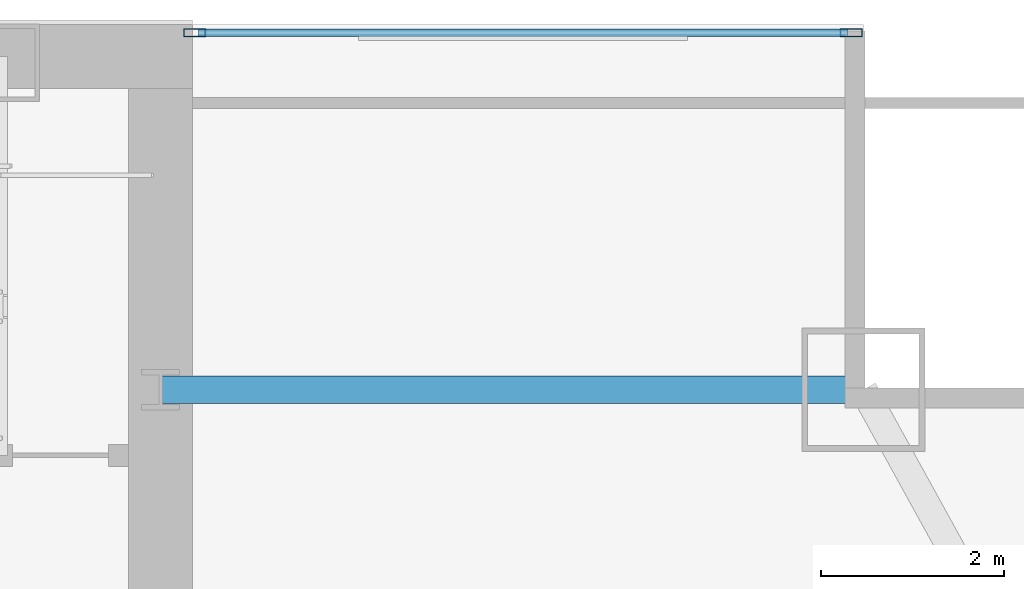
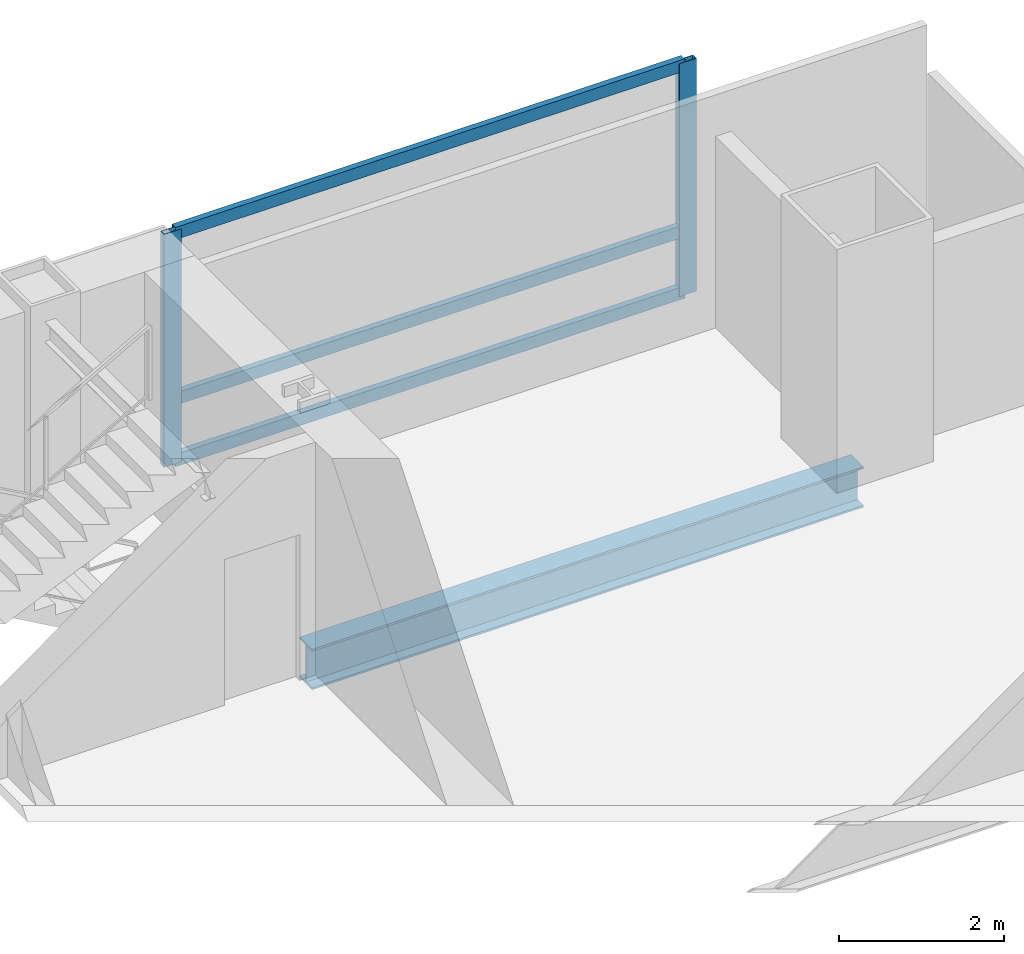
# One storey, part 20 of 29: 5 members, 1 beam, 1 element without a shape of its own.
"""IFC4 building model written with IfcOpenShell, lengths in metres."""

from ifc_helpers import new_model, si_unit, direction, frame, origin, origin_2d, place, context, subcontext, project, spatial, hollow_rectangle, i_section, extrude, material, material_profile, profile_set, type_object, element, aggregate, save


model = new_model("IFC4")

# Units and contexts
model_context = context("Model", 3, precision=1e-05, world=origin(), true_north=direction((0.0, 1.0)))
body_context = subcontext(model_context, "Body", "Model", "MODEL_VIEW")
ifc_project = project(units=[si_unit("LENGTHUNIT", "METRE"), si_unit("AREAUNIT", "SQUARE_METRE"), si_unit("VOLUMEUNIT", "CUBIC_METRE"), si_unit("PLANEANGLEUNIT", "RADIAN"), si_unit("MASSUNIT", "GRAM", prefix="KILO")], contexts=[model_context])

# Site, building, storey
site_placement = place(None, origin())
site = spatial("IfcSite", under=ifc_project, at=site_placement, CompositionType="ELEMENT")
building_placement = place(site_placement, origin())
building = spatial("IfcBuilding", under=site, at=building_placement, Name="Khoronbel Lancet Exchange", CompositionType="ELEMENT")
storey_placement = place(building_placement, frame((0.0, 0.0, 150.60009765625)))
storey = spatial("IfcBuildingStorey", under=building, at=storey_placement, Name="L37", CompositionType="ELEMENT", Elevation=150.60009765625)

# Beam
ifc_material_1 = material(Name="Steel S355", Category="steel")
ifc_material_profile_1 = material_profile(ifc_material_1, i_section(OverallWidth=0.300048828125, OverallDepth=0.60009765625, WebThickness=0.015380859375, FlangeThickness=0.030029296875, at=origin_2d()), Name="HEB 600")
ifc_profile_set_1 = profile_set([ifc_material_profile_1], Name="Steel S355")
beam_type = type_object("IfcBeamType", Name="BM-BSP2", PredefinedType="SPANDREL", material=ifc_profile_set_1)
beam_placement = place(storey_placement, frame((64.050048828125, 49.699951171875, -0.460205078125), z_axis=(-1.0, 0.0, 0.0), x_axis=(0.0, -1.0, 0.0)))
element("IfcBeam", 1, at=beam_placement, inside=storey, type_object=beam_type, Name="Level L37 north flank tie spandrel SP23", PredefinedType="SPANDREL", context=body_context, shape_type="SweptSolid", body=[
    extrude(i_section(OverallWidth=0.300048828125, OverallDepth=0.60009765625, WebThickness=0.015380859375, FlangeThickness=0.030029296875, at=origin_2d()), origin(), (0.0, 0.0, 1.0), 7.699951171875),
])

# Curtain wall, members
ifc_material_2 = material(Name="Low-E Solar Control Insulating Glass", Category="glass")
curtain_wall_type = type_object("IfcCurtainWallType", Name="CW-3", PredefinedType="NOTDEFINED", material=ifc_material_2)
curtain_wall_placement = place(storey_placement, origin())
curtain_wall = element("IfcCurtainWall", 2, at=curtain_wall_placement, inside=storey, type_object=curtain_wall_type, Name="Unitised curtain wall CW-L37-NEFLK", PredefinedType="NOTDEFINED")
ifc_material_3 = material(Name="Bronze-Anodised Aluminium 6063-T6", Category="aluminium")
ifc_material_profile_2 = material_profile(ifc_material_3, hollow_rectangle(XDim=0.0849609375, YDim=0.239990234375, WallThickness=0.006103515625, at=origin_2d()), Name="ALU MULLION 85x240")
ifc_profile_set_2 = profile_set([ifc_material_profile_2], Name="Bronze-Anodised Aluminium 6063-T6")
member_type_1 = type_object("IfcMemberType", Name="MEM-CWM1", PredefinedType="MULLION", material=ifc_profile_set_2)
member_1_placement = place(storey_placement, frame((63.91748046875, 53.610107421875, 0.0), z_axis=(0.0, 0.0, 1.0), x_axis=(0.0, -1.0, 0.0)))
member_1 = element("IfcMember", 3, at=member_1_placement, type_object=member_type_1, Name="CW3 mullion 1", PredefinedType="MULLION", context=body_context, shape_type="SweptSolid", body=[
    extrude(hollow_rectangle(XDim=0.0849609375, YDim=0.239990234375, WallThickness=0.006103515625, at=origin_2d()), origin(), (0.0, 0.0, 1.0), 3.43994140625),
])
member_2_placement = place(storey_placement, frame((56.722412109375, 53.610107421875, 0.0), z_axis=(0.0, 0.0, 1.0), x_axis=(0.0, -1.0, 0.0)))
member_2 = element("IfcMember", 4, at=member_2_placement, type_object=member_type_1, Name="CW3 mullion 2", PredefinedType="MULLION", context=body_context, shape_type="SweptSolid", body=[
    extrude(hollow_rectangle(XDim=0.0849609375, YDim=0.239990234375, WallThickness=0.006103515625, at=origin_2d()), origin(), (0.0, 0.0, 1.0), 3.43994140625),
])
ifc_material_profile_3 = material_profile(ifc_material_3, hollow_rectangle(XDim=0.0849609375, YDim=0.179931640625, WallThickness=0.0048828125, at=origin_2d()), Name="ALU TRANSOM 85x180")
ifc_profile_set_3 = profile_set([ifc_material_profile_3], Name="Bronze-Anodised Aluminium 6063-T6")
member_type_2 = type_object("IfcMemberType", Name="MEM-CWT1", PredefinedType="USERDEFINED", material=ifc_profile_set_3)
member_3_placement = place(storey_placement, frame((63.875, 53.610107421875, 0.04248046875), z_axis=(-1.0, 0.0, 0.0), x_axis=(0.0, -1.0, 0.0)))
member_3 = element("IfcMember", 5, at=member_3_placement, type_object=member_type_2, Name="CW3 transom 1.1", ObjectType="TRANSOM", PredefinedType="USERDEFINED", context=body_context, shape_type="SweptSolid", body=[
    extrude(hollow_rectangle(XDim=0.0849609375, YDim=0.179931640625, WallThickness=0.0048828125, at=origin_2d()), origin(), (0.0, 0.0, 1.0), 7.110107421875),
])
member_4_placement = place(storey_placement, frame((63.875, 53.610107421875, 0.949951171875), z_axis=(-1.0, 0.0, 0.0), x_axis=(0.0, -1.0, 0.0)))
member_4 = element("IfcMember", 6, at=member_4_placement, type_object=member_type_2, Name="CW3 transom 1.2", ObjectType="TRANSOM", PredefinedType="USERDEFINED", context=body_context, shape_type="SweptSolid", body=[
    extrude(hollow_rectangle(XDim=0.0849609375, YDim=0.179931640625, WallThickness=0.0048828125, at=origin_2d()), origin(), (0.0, 0.0, 1.0), 7.110107421875),
])
member_5_placement = place(storey_placement, frame((63.875, 53.610107421875, 3.3974609375), z_axis=(-1.0, 0.0, 0.0), x_axis=(0.0, -1.0, 0.0)))
member_5 = element("IfcMember", 7, at=member_5_placement, type_object=member_type_2, Name="CW3 transom 1.3", ObjectType="TRANSOM", PredefinedType="USERDEFINED", context=body_context, shape_type="SweptSolid", body=[
    extrude(hollow_rectangle(XDim=0.0849609375, YDim=0.179931640625, WallThickness=0.0048828125, at=origin_2d()), origin(), (0.0, 0.0, 1.0), 7.110107421875),
])
aggregate(curtain_wall, [member_1, member_2, member_3, member_4, member_5])

save(model, "model.ifc")
